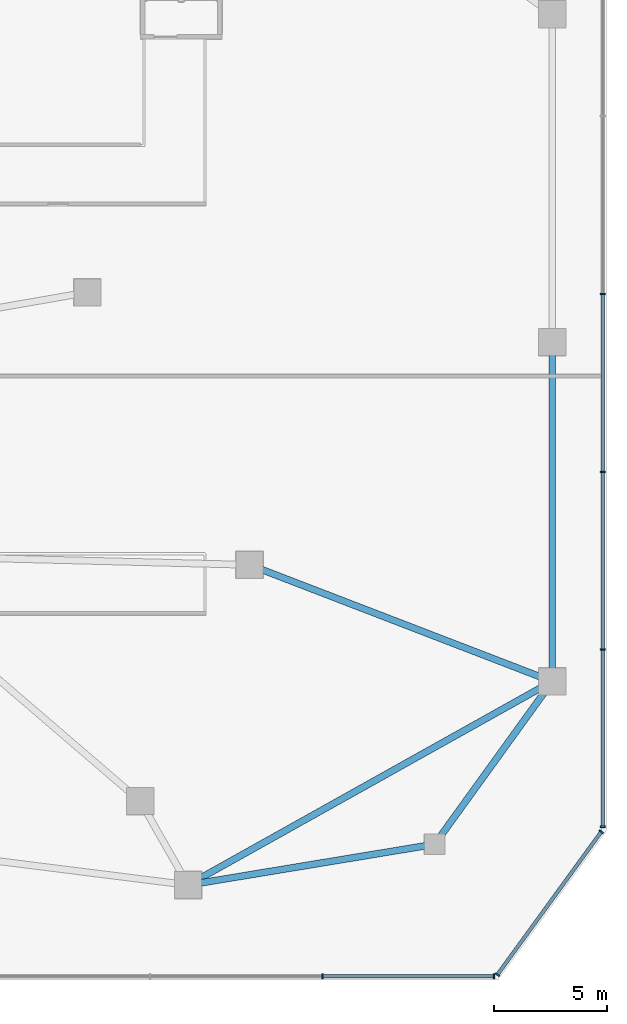
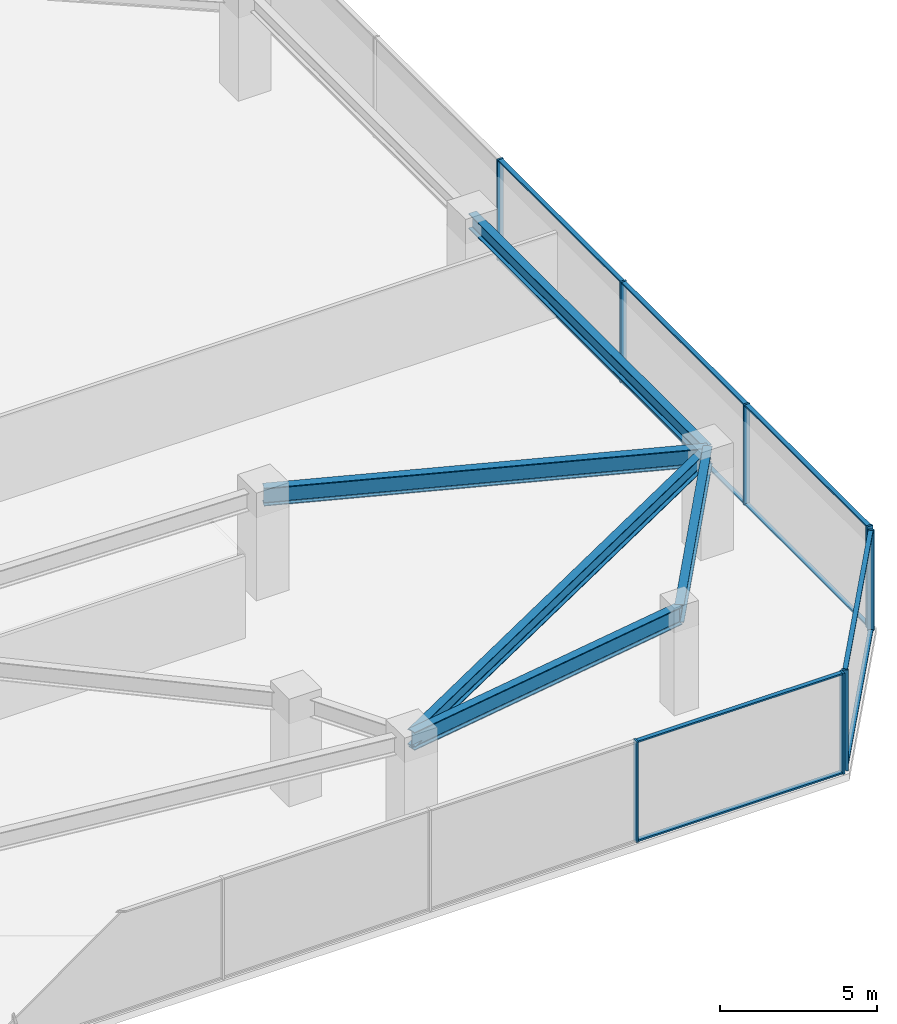
# One storey, part 8 of 21: 18 members, 5 beams, 3 elements without a shape of their own.
"""IFC4 building model written with IfcOpenShell, lengths in metres."""

from ifc_helpers import new_model, si_unit, direction, frame, origin, origin_2d, place, context, subcontext, project, spatial, rectangle, i_section, extrude, material, material_profile, profile_set, type_object, element, aggregate, save


model = new_model("IFC4")

# Units and contexts
model_context = context("Model", 3, precision=1e-05, world=origin(), true_north=direction((0.0, 1.0)))
body_context = subcontext(model_context, "Body", "Model", "MODEL_VIEW")
ifc_project = project(units=[si_unit("LENGTHUNIT", "METRE"), si_unit("AREAUNIT", "SQUARE_METRE"), si_unit("VOLUMEUNIT", "CUBIC_METRE"), si_unit("PLANEANGLEUNIT", "RADIAN"), si_unit("MASSUNIT", "GRAM", prefix="KILO")], contexts=[model_context])

# Site, building, storey
site_placement = place(None, origin())
site = spatial("IfcSite", under=ifc_project, at=site_placement, CompositionType="ELEMENT")
building_placement = place(site_placement, origin())
building = spatial("IfcBuilding", under=site, at=building_placement, Name="Savorim Split Tower", CompositionType="ELEMENT")
storey_placement = place(building_placement, frame((0.0, 0.0, 5.0)))
storey = spatial("IfcBuildingStorey", under=building, at=storey_placement, Name="L01", CompositionType="ELEMENT", Elevation=5.0)

# Beams
ifc_material_1 = material(Name="Steel S355", Category="steel")
ifc_material_profile_1 = material_profile(ifc_material_1, i_section(OverallWidth=0.300048828125, OverallDepth=0.699951171875, WebThickness=0.01708984375, FlangeThickness=0.031982421875, FilletRadius=0.027099609375, at=origin_2d()), Name="HEB 700")
ifc_profile_set_1 = profile_set([ifc_material_profile_1], Name="Steel S355")
beam_type_1 = type_object("IfcBeamType", Name="BM-PRI-HEB700", PredefinedType="BEAM", material=ifc_profile_set_1)
beam_1_placement = place(storey_placement, frame((22.5, -24.0, 3.570068359375), z_axis=(0.986636527583, 0.162936682298, 0.0), x_axis=(-0.162936682298, 0.986636527583, 0.0)))
element("IfcBeam", 1, at=beam_1_placement, inside=storey, type_object=beam_type_1, Name="L01 Podium Primary Girder BG-05", PredefinedType="BEAM", context=body_context, shape_type="SweptSolid", body=[
    extrude(i_section(OverallWidth=0.300048828125, OverallDepth=0.699951171875, WebThickness=0.01708984375, FlangeThickness=0.031982421875, FilletRadius=0.027099609375, at=origin_2d()), origin(), (0.0, 0.0, 1.0), 11.047607421875),
])
beam_2_placement = place(storey_placement, frame((33.39990234375, -22.199951171875, 3.570068359375), z_axis=(0.585507615617, 0.810666905735, 0.0), x_axis=(-0.810666905735, 0.585507615617, 0.0)))
element("IfcBeam", 2, at=beam_2_placement, inside=storey, type_object=beam_type_1, Name="L01 Podium Primary Girder BG-06", PredefinedType="BEAM", context=body_context, shape_type="SweptSolid", body=[
    extrude(i_section(OverallWidth=0.300048828125, OverallDepth=0.699951171875, WebThickness=0.01708984375, FlangeThickness=0.031982421875, FilletRadius=0.027099609375, at=origin_2d()), origin(), (0.0, 0.0, 1.0), 8.881591796875),
])
beam_3_placement = place(storey_placement, frame((38.60009765625, -15.0, 3.570068359375), z_axis=(-0.933209998247, 0.359331461427, 0.0), x_axis=(-0.359331461427, -0.933209998247, 0.0)))
element("IfcBeam", 3, at=beam_3_placement, inside=storey, type_object=beam_type_1, Name="L01 Podium Primary Girder BG-07", PredefinedType="BEAM", context=body_context, shape_type="SweptSolid", body=[
    extrude(i_section(OverallWidth=0.300048828125, OverallDepth=0.699951171875, WebThickness=0.01708984375, FlangeThickness=0.031982421875, FilletRadius=0.027099609375, at=origin_2d()), origin(), (0.0, 0.0, 1.0), 14.3447265625),
])
ifc_material_profile_2 = material_profile(ifc_material_1, i_section(OverallWidth=0.300048828125, OverallDepth=0.590087890625, WebThickness=0.012939453125, FlangeThickness=0.02490234375, FilletRadius=0.027099609375, at=origin_2d()), Name="HEA 600")
ifc_profile_set_2 = profile_set([ifc_material_profile_2], Name="Steel S355")
beam_type_2 = type_object("IfcBeamType", Name="BM-SPN-HEA600", PredefinedType="SPANDREL", material=ifc_profile_set_2)
beam_4_placement = place(storey_placement, frame((22.5, -24.0, 3.625), z_axis=(0.872876830371, 0.487940610117, 0.0), x_axis=(-0.487940610117, 0.872876830371, 0.0)))
element("IfcBeam", 4, at=beam_4_placement, inside=storey, type_object=beam_type_2, Name="L01 Podium Spandrel Beam 2", PredefinedType="SPANDREL", context=body_context, shape_type="SweptSolid", body=[
    extrude(i_section(OverallWidth=0.300048828125, OverallDepth=0.590087890625, WebThickness=0.012939453125, FlangeThickness=0.02490234375, FilletRadius=0.027099609375, at=origin_2d()), origin(), (0.0, 0.0, 1.0), 18.44482421875),
])
beam_5_placement = place(storey_placement, frame((38.60009765625, -15.0, 3.625), z_axis=(0.0, 1.0, 0.0), x_axis=(-1.0, 0.0, 0.0)))
element("IfcBeam", 5, at=beam_5_placement, inside=storey, type_object=beam_type_2, Name="L01 Podium Spandrel Beam 3", PredefinedType="SPANDREL", context=body_context, shape_type="SweptSolid", body=[
    extrude(i_section(OverallWidth=0.300048828125, OverallDepth=0.590087890625, WebThickness=0.012939453125, FlangeThickness=0.02490234375, FilletRadius=0.027099609375, at=origin_2d()), origin(), (0.0, 0.0, 1.0), 15.0),
])

# Curtain wall, members
ifc_material_2 = material(Name="Dark Ceramic-Fritted Insulated Glass", Category="glass")
curtain_wall_type = type_object("IfcCurtainWallType", Name="CW-POD-GLZ", PredefinedType="NOTDEFINED", material=ifc_material_2)
curtain_wall_1_placement = place(storey_placement, origin())
curtain_wall_1 = element("IfcCurtainWall", 6, at=curtain_wall_1_placement, inside=storey, type_object=curtain_wall_type, Name="L01 Curtain Wall CW-L01-E04", PredefinedType="NOTDEFINED")
ifc_material_3 = material(Name="Charcoal Anodised Aluminium", Category="aluminium")
ifc_material_profile_3 = material_profile(ifc_material_3, rectangle(XDim=0.219970703125, YDim=0.070068359375, at=origin_2d()), Name="ALU-M 220x70")
ifc_profile_set_3 = profile_set([ifc_material_profile_3], Name="Charcoal Anodised Aluminium")
member_type_1 = type_object("IfcMemberType", Name="CWM-220x70", PredefinedType="MULLION", material=ifc_profile_set_3)
member_1_placement = place(storey_placement, frame((28.43310546875, -28.0400390625, 0.0), z_axis=(0.0, 0.0, 1.0), x_axis=(0.0, 1.0, 0.0)))
member_1 = element("IfcMember", 7, at=member_1_placement, type_object=member_type_1, Name="CW-01 mullion 8", PredefinedType="MULLION", context=body_context, shape_type="SweptSolid", body=[
    extrude(rectangle(XDim=0.219970703125, YDim=0.070068359375, at=origin_2d()), origin(), (0.0, 0.0, 1.0), 3.919921875),
])
member_2_placement = place(storey_placement, frame((36.02490234375, -28.0400390625, 0.0), z_axis=(0.0, 0.0, 1.0), x_axis=(0.0, 1.0, 0.0)))
member_2 = element("IfcMember", 8, at=member_2_placement, type_object=member_type_1, Name="CW-01 mullion 9", PredefinedType="MULLION", context=body_context, shape_type="SweptSolid", body=[
    extrude(rectangle(XDim=0.219970703125, YDim=0.070068359375, at=origin_2d()), origin(), (0.0, 0.0, 1.0), 3.919921875),
])

curtain_wall_2_placement = place(storey_placement, origin())
curtain_wall_2 = element("IfcCurtainWall", 9, at=curtain_wall_2_placement, inside=storey, type_object=curtain_wall_type, Name="L01 Curtain Wall CW-L01-E05", PredefinedType="NOTDEFINED")
member_3_placement = place(storey_placement, frame((36.173583984375, -27.96435546875, 0.0), z_axis=(0.0, 0.0, 1.0), x_axis=(-0.808732792063, 0.588176224478, 0.0)))
member_3 = element("IfcMember", 10, at=member_3_placement, type_object=member_type_1, Name="CW-01 mullion 1", PredefinedType="MULLION", context=body_context, shape_type="SweptSolid", body=[
    extrude(rectangle(XDim=0.219970703125, YDim=0.070068359375, at=origin_2d()), origin(), (0.0, 0.0, 1.0), 3.919921875),
])
member_4_placement = place(storey_placement, frame((40.767822265625, -21.6474609375, 0.0), z_axis=(0.0, 0.0, 1.0), x_axis=(-0.808732792063, 0.588176224478, 0.0)))
member_4 = element("IfcMember", 11, at=member_4_placement, type_object=member_type_1, Name="CW-01 mullion 2", PredefinedType="MULLION", context=body_context, shape_type="SweptSolid", body=[
    extrude(rectangle(XDim=0.219970703125, YDim=0.070068359375, at=origin_2d()), origin(), (0.0, 0.0, 1.0), 3.919921875),
])

curtain_wall_3_placement = place(storey_placement, origin())
curtain_wall_3 = element("IfcCurtainWall", 12, at=curtain_wall_3_placement, inside=storey, type_object=curtain_wall_type, Name="L01 Curtain Wall CW-L01-E06", PredefinedType="NOTDEFINED")
member_5_placement = place(storey_placement, frame((40.840087890625, -21.425048828125, 0.0), z_axis=(0.0, 0.0, 1.0), x_axis=(-1.0, 0.0, 0.0)))
member_5 = element("IfcMember", 13, at=member_5_placement, type_object=member_type_1, Name="CW-01 mullion 1", PredefinedType="MULLION", context=body_context, shape_type="SweptSolid", body=[
    extrude(rectangle(XDim=0.219970703125, YDim=0.070068359375, at=origin_2d()), origin(), (0.0, 0.0, 1.0), 3.919921875),
])
member_6_placement = place(storey_placement, frame((40.840087890625, -13.595947265625, 0.0), z_axis=(0.0, 0.0, 1.0), x_axis=(-1.0, 0.0, 0.0)))
member_6 = element("IfcMember", 14, at=member_6_placement, type_object=member_type_1, Name="CW-01 mullion 2", PredefinedType="MULLION", context=body_context, shape_type="SweptSolid", body=[
    extrude(rectangle(XDim=0.219970703125, YDim=0.070068359375, at=origin_2d()), origin(), (0.0, 0.0, 1.0), 3.919921875),
])
member_7_placement = place(storey_placement, frame((40.840087890625, -5.73193359375, 0.0), z_axis=(0.0, 0.0, 1.0), x_axis=(-1.0, 0.0, 0.0)))
member_7 = element("IfcMember", 15, at=member_7_placement, type_object=member_type_1, Name="CW-01 mullion 3", PredefinedType="MULLION", context=body_context, shape_type="SweptSolid", body=[
    extrude(rectangle(XDim=0.219970703125, YDim=0.070068359375, at=origin_2d()), origin(), (0.0, 0.0, 1.0), 3.919921875),
])
member_8_placement = place(storey_placement, frame((40.840087890625, 2.132080078125, 0.0), z_axis=(0.0, 0.0, 1.0), x_axis=(-1.0, 0.0, 0.0)))
member_8 = element("IfcMember", 16, at=member_8_placement, type_object=member_type_1, Name="CW-01 mullion 4", PredefinedType="MULLION", context=body_context, shape_type="SweptSolid", body=[
    extrude(rectangle(XDim=0.219970703125, YDim=0.070068359375, at=origin_2d()), origin(), (0.0, 0.0, 1.0), 3.919921875),
])

# Member
ifc_material_profile_4 = material_profile(ifc_material_3, rectangle(XDim=0.159912109375, YDim=0.06005859375, at=origin_2d()), Name="ALU-T 160x60")
ifc_profile_set_4 = profile_set([ifc_material_profile_4], Name="Charcoal Anodised Aluminium")
member_type_2 = type_object("IfcMemberType", Name="CWT-160x60", PredefinedType="USERDEFINED", material=ifc_profile_set_4)
member_9_placement = place(storey_placement, frame((28.468017578125, -28.0400390625, 0.030029296875), z_axis=(1.0, 0.0, 0.0), x_axis=(0.0, 1.0, 0.0)))
member_9 = element("IfcMember", 17, at=member_9_placement, type_object=member_type_2, Name="CW-01 transom 8.1", ObjectType="TRANSOM", PredefinedType="USERDEFINED", context=body_context, shape_type="SweptSolid", body=[
    extrude(rectangle(XDim=0.159912109375, YDim=0.06005859375, at=origin_2d()), origin(), (0.0, 0.0, 1.0), 7.52197265625),
])

member_10_placement = place(storey_placement, frame((28.468017578125, -28.0400390625, 3.889892578125), z_axis=(1.0, 0.0, 0.0), x_axis=(0.0, 1.0, 0.0)))
member_10 = element("IfcMember", 18, at=member_10_placement, type_object=member_type_2, Name="CW-01 transom 8.2", ObjectType="TRANSOM", PredefinedType="USERDEFINED", context=body_context, shape_type="SweptSolid", body=[
    extrude(rectangle(XDim=0.159912109375, YDim=0.06005859375, at=origin_2d()), origin(), (0.0, 0.0, 1.0), 7.52197265625),
])

aggregate(curtain_wall_1, [member_1, member_2, member_9, member_10])

member_11_placement = place(storey_placement, frame((36.194091796875, -27.93603515625, 0.030029296875), z_axis=(0.588177323599, 0.808731992692, 0.0), x_axis=(-0.808731992692, 0.588177323599, 0.0)))
member_11 = element("IfcMember", 19, at=member_11_placement, type_object=member_type_2, Name="CW-01 transom 1.1", ObjectType="TRANSOM", PredefinedType="USERDEFINED", context=body_context, shape_type="SweptSolid", body=[
    extrude(rectangle(XDim=0.159912109375, YDim=0.06005859375, at=origin_2d()), origin(), (0.0, 0.0, 1.0), 7.74072265625),
])

member_12_placement = place(storey_placement, frame((36.194091796875, -27.93603515625, 3.889892578125), z_axis=(0.588177323599, 0.808731992692, 0.0), x_axis=(-0.808731992692, 0.588177323599, 0.0)))
member_12 = element("IfcMember", 20, at=member_12_placement, type_object=member_type_2, Name="CW-01 transom 1.2", ObjectType="TRANSOM", PredefinedType="USERDEFINED", context=body_context, shape_type="SweptSolid", body=[
    extrude(rectangle(XDim=0.159912109375, YDim=0.06005859375, at=origin_2d()), origin(), (0.0, 0.0, 1.0), 7.74072265625),
])

aggregate(curtain_wall_2, [member_3, member_4, member_11, member_12])

member_13_placement = place(storey_placement, frame((40.840087890625, -21.389892578125, 0.030029296875), z_axis=(0.0, 1.0, 0.0), x_axis=(-1.0, 0.0, 0.0)))
member_13 = element("IfcMember", 21, at=member_13_placement, type_object=member_type_2, Name="CW-01 transom 1.1", ObjectType="TRANSOM", PredefinedType="USERDEFINED", context=body_context, shape_type="SweptSolid", body=[
    extrude(rectangle(XDim=0.159912109375, YDim=0.06005859375, at=origin_2d()), origin(), (0.0, 0.0, 1.0), 7.7587890625),
])

member_14_placement = place(storey_placement, frame((40.840087890625, -21.389892578125, 3.889892578125), z_axis=(0.0, 1.0, 0.0), x_axis=(-1.0, 0.0, 0.0)))
member_14 = element("IfcMember", 22, at=member_14_placement, type_object=member_type_2, Name="CW-01 transom 1.2", ObjectType="TRANSOM", PredefinedType="USERDEFINED", context=body_context, shape_type="SweptSolid", body=[
    extrude(rectangle(XDim=0.159912109375, YDim=0.06005859375, at=origin_2d()), origin(), (0.0, 0.0, 1.0), 7.7587890625),
])

member_15_placement = place(storey_placement, frame((40.840087890625, -13.56103515625, 0.030029296875), z_axis=(0.0, 1.0, 0.0), x_axis=(-1.0, 0.0, 0.0)))
member_15 = element("IfcMember", 23, at=member_15_placement, type_object=member_type_2, Name="CW-01 transom 2.1", ObjectType="TRANSOM", PredefinedType="USERDEFINED", context=body_context, shape_type="SweptSolid", body=[
    extrude(rectangle(XDim=0.159912109375, YDim=0.06005859375, at=origin_2d()), origin(), (0.0, 0.0, 1.0), 7.7939453125),
])

member_16_placement = place(storey_placement, frame((40.840087890625, -13.56103515625, 3.889892578125), z_axis=(0.0, 1.0, 0.0), x_axis=(-1.0, 0.0, 0.0)))
member_16 = element("IfcMember", 24, at=member_16_placement, type_object=member_type_2, Name="CW-01 transom 2.2", ObjectType="TRANSOM", PredefinedType="USERDEFINED", context=body_context, shape_type="SweptSolid", body=[
    extrude(rectangle(XDim=0.159912109375, YDim=0.06005859375, at=origin_2d()), origin(), (0.0, 0.0, 1.0), 7.7939453125),
])

member_17_placement = place(storey_placement, frame((40.840087890625, -5.697021484375, 0.030029296875), z_axis=(0.0, 1.0, 0.0), x_axis=(-1.0, 0.0, 0.0)))
member_17 = element("IfcMember", 25, at=member_17_placement, type_object=member_type_2, Name="CW-01 transom 3.1", ObjectType="TRANSOM", PredefinedType="USERDEFINED", context=body_context, shape_type="SweptSolid", body=[
    extrude(rectangle(XDim=0.159912109375, YDim=0.06005859375, at=origin_2d()), origin(), (0.0, 0.0, 1.0), 7.7939453125),
])

member_18_placement = place(storey_placement, frame((40.840087890625, -5.697021484375, 3.889892578125), z_axis=(0.0, 1.0, 0.0), x_axis=(-1.0, 0.0, 0.0)))
member_18 = element("IfcMember", 26, at=member_18_placement, type_object=member_type_2, Name="CW-01 transom 3.2", ObjectType="TRANSOM", PredefinedType="USERDEFINED", context=body_context, shape_type="SweptSolid", body=[
    extrude(rectangle(XDim=0.159912109375, YDim=0.06005859375, at=origin_2d()), origin(), (0.0, 0.0, 1.0), 7.7939453125),
])

aggregate(curtain_wall_3, [member_5, member_6, member_7, member_8, member_13, member_14, member_15, member_16, member_17, member_18])

save(model, "model.ifc")
